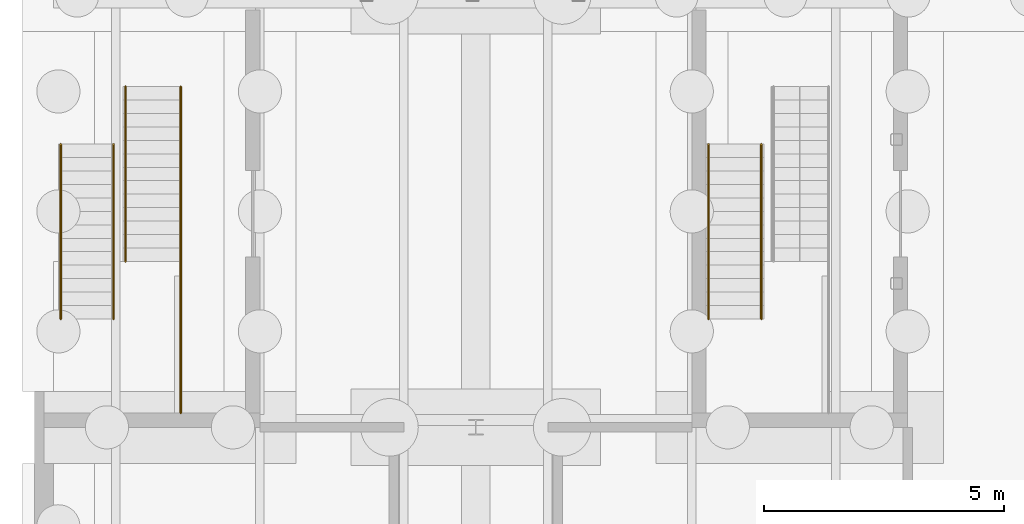
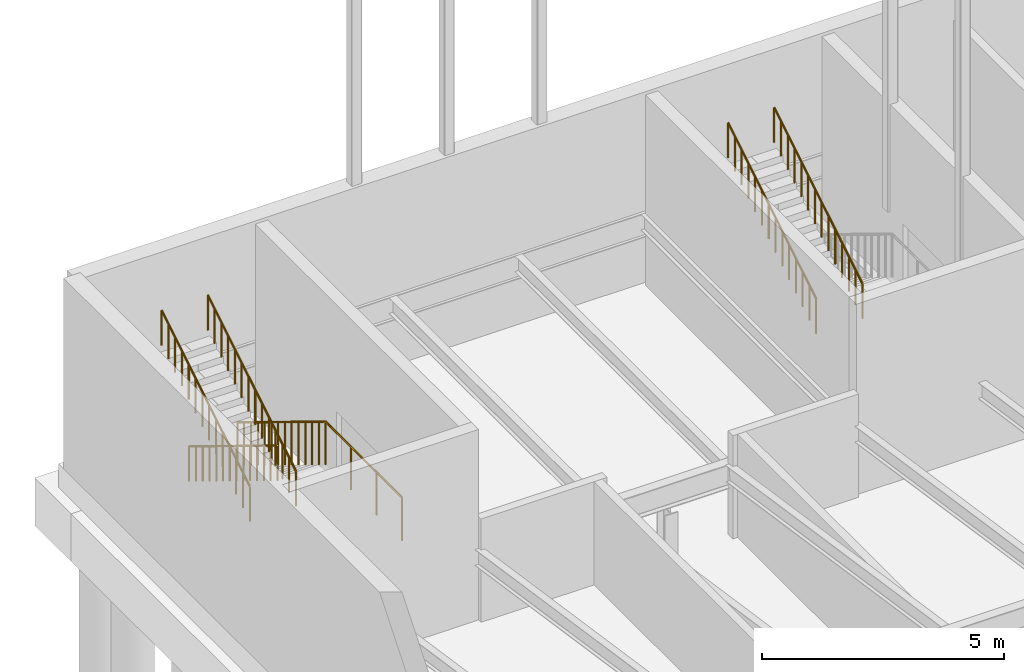
# One storey, part 25 of 31: 7 railings.
"""IFC4 building model written with IfcOpenShell, lengths in metres."""

from ifc_helpers import new_model, si_unit, direction, frame, origin, origin_2d, place, context, subcontext, project, spatial, circle, extrude, material, type_object, element, save


model = new_model("IFC4")

# Units and contexts
model_context = context("Model", 3, precision=1e-05, world=origin(), true_north=direction((0.0, 1.0)))
body_context = subcontext(model_context, "Body", "Model", "MODEL_VIEW")
ifc_project = project(units=[si_unit("LENGTHUNIT", "METRE"), si_unit("AREAUNIT", "SQUARE_METRE"), si_unit("VOLUMEUNIT", "CUBIC_METRE"), si_unit("PLANEANGLEUNIT", "RADIAN"), si_unit("MASSUNIT", "GRAM", prefix="KILO")], contexts=[model_context])

# Site, building, storey
site_placement = place(None, origin())
site = spatial("IfcSite", under=ifc_project, at=site_placement, CompositionType="ELEMENT")
building_placement = place(site_placement, origin())
building = spatial("IfcBuilding", under=site, at=building_placement, Name="Halyard Row Museum", CompositionType="ELEMENT")
storey_placement = place(building_placement, frame((0.0, 0.0, -4.800048828125)))
storey = spatial("IfcBuildingStorey", under=building, at=storey_placement, Name="B1", CompositionType="ELEMENT", Elevation=-4.800048828125)

# Railings
ifc_material_1 = material(Name="Steel Grade 300", Category="steel")
railing_type_1 = type_object("IfcRailingType", Name="Guard GR2 steel balustrade 1100", PredefinedType="GUARDRAIL", material=ifc_material_1)
railing_1_placement = place(storey_placement, frame((2.85009765625, 43.10009765625, 0.17138671875)))
element("IfcRailing", 1, at=railing_1_placement, inside=storey, type_object=railing_type_1, Name="Guard GR090", PredefinedType="GUARDRAIL", context=body_context, shape_type="SweptSolid", body=[
    extrude(circle(Radius=0.02392578125, at=origin_2d()), frame((0.0, 0.0, 1.076171875), z_axis=(0.0, -0.852601252411, 0.522562057929), x_axis=(1.0, 0.0, 0.0)), (0.0, 0.0, 1.0), 0.328369140625),
    extrude(circle(Radius=0.02392578125, at=origin_2d()), frame((0.0, -0.280029296875, 1.24755859375), z_axis=(0.0, -0.852932391421, 0.522021393877), x_axis=(1.0, 0.0, 0.0)), (0.0, 0.0, 1.0), 0.328369140625),
    extrude(circle(Radius=0.02392578125, at=origin_2d()), frame((0.0, -0.56005859375, 1.4189453125), z_axis=(0.0, -0.852932391421, 0.522021393877), x_axis=(1.0, 0.0, 0.0)), (0.0, 0.0, 1.0), 0.328369140625),
    extrude(circle(Radius=0.02392578125, at=origin_2d()), frame((0.0, -0.840087890625, 1.59033203125), z_axis=(0.0, -0.852932391421, 0.522021393877), x_axis=(1.0, 0.0, 0.0)), (0.0, 0.0, 1.0), 0.328369140625),
    extrude(circle(Radius=0.02392578125, at=origin_2d()), frame((0.0, -1.1201171875, 1.76171875), z_axis=(0.0, -0.852932391421, 0.522021393877), x_axis=(1.0, 0.0, 0.0)), (0.0, 0.0, 1.0), 0.328369140625),
    extrude(circle(Radius=0.02392578125, at=origin_2d()), frame((0.0, -1.400146484375, 1.93310546875), z_axis=(0.0, -0.852932391421, 0.522021393877), x_axis=(1.0, 0.0, 0.0)), (0.0, 0.0, 1.0), 0.328369140625),
    extrude(circle(Radius=0.02392578125, at=origin_2d()), frame((0.0, -1.68017578125, 2.1044921875), z_axis=(0.0, -0.852601252411, 0.522562057929), x_axis=(1.0, 0.0, 0.0)), (0.0, 0.0, 1.0), 0.328369140625),
    extrude(circle(Radius=0.02392578125, at=origin_2d()), frame((0.0, -1.960205078125, 2.2763671875), z_axis=(0.0, -0.852729557261, 0.522352660731), x_axis=(1.0, 0.0, 0.0)), (0.0, 0.0, 1.0), 0.328125),
    extrude(circle(Radius=0.02392578125, at=origin_2d()), frame((0.0, -2.239990234375, 2.44775390625), z_axis=(0.0, -0.852932391421, 0.522021393877), x_axis=(1.0, 0.0, 0.0)), (0.0, 0.0, 1.0), 0.328369140625),
    extrude(circle(Radius=0.02392578125, at=origin_2d()), frame((0.0, -2.52001953125, 2.619140625), z_axis=(0.0, -0.852932391421, 0.522021393877), x_axis=(1.0, 0.0, 0.0)), (0.0, 0.0, 1.0), 0.328369140625),
    extrude(circle(Radius=0.02392578125, at=origin_2d()), frame((0.0, -2.800048828125, 2.79052734375), z_axis=(0.0, -0.852932391421, 0.522021393877), x_axis=(1.0, 0.0, 0.0)), (0.0, 0.0, 1.0), 0.328369140625),
    extrude(circle(Radius=0.02392578125, at=origin_2d()), frame((0.0, -3.080078125, 2.9619140625), z_axis=(0.0, -0.852932391421, 0.522021393877), x_axis=(1.0, 0.0, 0.0)), (0.0, 0.0, 1.0), 0.328369140625),
    extrude(circle(Radius=0.02392578125, at=origin_2d()), frame((0.0, -3.360107421875, 3.13330078125), z_axis=(0.0, -0.852601252411, 0.522562057929), x_axis=(1.0, 0.0, 0.0)), (0.0, 0.0, 1.0), 0.328369140625),
    extrude(circle(Radius=0.02099609375, at=origin_2d()), origin(), (0.0, 0.0, 1.0), 1.052001953125),
    extrude(circle(Radius=0.02099609375, at=origin_2d()), frame((0.0, -0.280029296875, 0.171630859375)), (0.0, 0.0, 1.0), 1.052001953125),
    extrude(circle(Radius=0.02099609375, at=origin_2d()), frame((0.0, -0.56005859375, 0.343017578125)), (0.0, 0.0, 1.0), 1.052001953125),
    extrude(circle(Radius=0.02099609375, at=origin_2d()), frame((0.0, -0.840087890625, 0.514404296875)), (0.0, 0.0, 1.0), 1.052001953125),
    extrude(circle(Radius=0.02099609375, at=origin_2d()), frame((0.0, -1.1201171875, 0.685791015625)), (0.0, 0.0, 1.0), 1.052001953125),
    extrude(circle(Radius=0.02099609375, at=origin_2d()), frame((0.0, -1.400146484375, 0.857177734375)), (0.0, 0.0, 1.0), 1.052001953125),
    extrude(circle(Radius=0.02099609375, at=origin_2d()), frame((0.0, -1.68017578125, 1.028564453125)), (0.0, 0.0, 1.0), 1.052001953125),
    extrude(circle(Radius=0.02099609375, at=origin_2d()), frame((0.0, -1.960205078125, 1.2001953125)), (0.0, 0.0, 1.0), 1.052001953125),
    extrude(circle(Radius=0.02099609375, at=origin_2d()), frame((0.0, -2.239990234375, 1.37158203125)), (0.0, 0.0, 1.0), 1.052001953125),
    extrude(circle(Radius=0.02099609375, at=origin_2d()), frame((0.0, -2.52001953125, 1.54296875)), (0.0, 0.0, 1.0), 1.052001953125),
    extrude(circle(Radius=0.02099609375, at=origin_2d()), frame((0.0, -2.800048828125, 1.71435546875)), (0.0, 0.0, 1.0), 1.052001953125),
    extrude(circle(Radius=0.02099609375, at=origin_2d()), frame((0.0, -3.080078125, 1.8857421875)), (0.0, 0.0, 1.0), 1.052001953125),
    extrude(circle(Radius=0.02099609375, at=origin_2d()), frame((0.0, -3.360107421875, 2.05712890625)), (0.0, 0.0, 1.0), 1.052001953125),
    extrude(circle(Radius=0.02099609375, at=origin_2d()), frame((0.0, -3.64013671875, 2.228759765625)), (0.0, 0.0, 1.0), 1.052001953125),
])
railing_2_placement = place(storey_placement, frame((2.85009765625, 39.4599609375, 2.400146484375)))
element("IfcRailing", 2, at=railing_2_placement, inside=storey, type_object=railing_type_1, Name="Guard GR091", PredefinedType="GUARDRAIL", context=body_context, shape_type="SweptSolid", body=[
    extrude(circle(Radius=0.02392578125, at=origin_2d()), frame((0.0, 0.0, 1.076171875), z_axis=(0.0, -1.0, 0.0), x_axis=(1.0, 0.0, 0.0)), (0.0, 0.0, 1.0), 3.159912109375),
    extrude(circle(Radius=0.02099609375, at=origin_2d()), origin(), (0.0, 0.0, 1.0), 1.052001953125),
    extrude(circle(Radius=0.02099609375, at=origin_2d()), frame((0.0, -1.05322265625, 0.0)), (0.0, 0.0, 1.0), 1.052001953125),
    extrude(circle(Radius=0.02099609375, at=origin_2d()), frame((0.0, -2.106689453125, 0.0)), (0.0, 0.0, 1.0), 1.052001953125),
    extrude(circle(Radius=0.02099609375, at=origin_2d()), frame((0.0, -3.159912109375, 0.0)), (0.0, 0.0, 1.0), 1.052001953125),
])
ifc_material_2 = material(Name="Steel Grade 300", Category="steel")
railing_type_2 = type_object("IfcRailingType", Name="Handrail HR2 steel 900", PredefinedType="HANDRAIL", material=ifc_material_2)
railing_3_placement = place(storey_placement, frame((13.85009765625, 38.260009765625, 2.571533203125)))
element("IfcRailing", 3, at=railing_3_placement, inside=storey, type_object=railing_type_2, Name="Handrail HR119", PredefinedType="HANDRAIL", context=body_context, shape_type="SweptSolid", body=[
    extrude(circle(Radius=0.02392578125, at=origin_2d()), frame((0.0, 0.0, 0.8759765625), z_axis=(0.0, 0.852932391421, 0.522021393877), x_axis=(-1.0, 0.0, 0.0)), (0.0, 0.0, 1.0), 0.328369140625),
    extrude(circle(Radius=0.02392578125, at=origin_2d()), frame((0.0, 0.280029296875, 1.04736328125), z_axis=(0.0, 0.852932391421, 0.522021393877), x_axis=(-1.0, 0.0, 0.0)), (0.0, 0.0, 1.0), 0.328369140625),
    extrude(circle(Radius=0.02392578125, at=origin_2d()), frame((0.0, 0.56005859375, 1.21875), z_axis=(0.0, 0.852932391421, 0.522021393877), x_axis=(-1.0, 0.0, 0.0)), (0.0, 0.0, 1.0), 0.328369140625),
    extrude(circle(Radius=0.02392578125, at=origin_2d()), frame((0.0, 0.840087890625, 1.39013671875), z_axis=(0.0, 0.852729557261, 0.522352660731), x_axis=(-1.0, 0.0, 0.0)), (0.0, 0.0, 1.0), 0.328125),
    extrude(circle(Radius=0.02392578125, at=origin_2d()), frame((0.0, 1.119873046875, 1.5615234375), z_axis=(0.0, 0.852601252411, 0.522562057929), x_axis=(-1.0, 0.0, 0.0)), (0.0, 0.0, 1.0), 0.328369140625),
    extrude(circle(Radius=0.02392578125, at=origin_2d()), frame((0.0, 1.39990234375, 1.73291015625), z_axis=(0.0, 0.852932391421, 0.522021393877), x_axis=(-1.0, 0.0, 0.0)), (0.0, 0.0, 1.0), 0.328369140625),
    extrude(circle(Radius=0.02392578125, at=origin_2d()), frame((0.0, 1.679931640625, 1.904296875), z_axis=(0.0, 0.852932391421, 0.522021393877), x_axis=(-1.0, 0.0, 0.0)), (0.0, 0.0, 1.0), 0.328369140625),
    extrude(circle(Radius=0.02392578125, at=origin_2d()), frame((0.0, 1.9599609375, 2.07568359375), z_axis=(0.0, 0.852932391421, 0.522021393877), x_axis=(-1.0, 0.0, 0.0)), (0.0, 0.0, 1.0), 0.328369140625),
    extrude(circle(Radius=0.02392578125, at=origin_2d()), frame((0.0, 2.239990234375, 2.2470703125), z_axis=(0.0, 0.852932391421, 0.522021393877), x_axis=(-1.0, 0.0, 0.0)), (0.0, 0.0, 1.0), 0.328369140625),
    extrude(circle(Radius=0.02392578125, at=origin_2d()), frame((0.0, 2.52001953125, 2.41845703125), z_axis=(0.0, 0.852932391421, 0.522021393877), x_axis=(-1.0, 0.0, 0.0)), (0.0, 0.0, 1.0), 0.328369140625),
    extrude(circle(Radius=0.02392578125, at=origin_2d()), frame((0.0, 2.800048828125, 2.58984375), z_axis=(0.0, 0.852601252411, 0.522562057929), x_axis=(-1.0, 0.0, 0.0)), (0.0, 0.0, 1.0), 0.328369140625),
    extrude(circle(Radius=0.02392578125, at=origin_2d()), frame((0.0, 3.080078125, 2.76171875), z_axis=(0.0, 0.852932391421, 0.522021393877), x_axis=(-1.0, 0.0, 0.0)), (0.0, 0.0, 1.0), 0.328369140625),
    extrude(circle(Radius=0.02392578125, at=origin_2d()), frame((0.0, 3.360107421875, 2.93310546875), z_axis=(0.0, 0.852729557261, 0.522352660731), x_axis=(-1.0, 0.0, 0.0)), (0.0, 0.0, 1.0), 0.328125),
    extrude(circle(Radius=0.02099609375, at=origin_2d()), origin(), (0.0, 0.0, 1.0), 0.851806640625),
    extrude(circle(Radius=0.02099609375, at=origin_2d()), frame((0.0, 0.280029296875, 0.17138671875)), (0.0, 0.0, 1.0), 0.851806640625),
    extrude(circle(Radius=0.02099609375, at=origin_2d()), frame((0.0, 0.56005859375, 0.3427734375)), (0.0, 0.0, 1.0), 0.851806640625),
    extrude(circle(Radius=0.02099609375, at=origin_2d()), frame((0.0, 0.840087890625, 0.51416015625)), (0.0, 0.0, 1.0), 0.851806640625),
    extrude(circle(Radius=0.02099609375, at=origin_2d()), frame((0.0, 1.119873046875, 0.685546875)), (0.0, 0.0, 1.0), 0.851806640625),
    extrude(circle(Radius=0.02099609375, at=origin_2d()), frame((0.0, 1.39990234375, 0.857177734375)), (0.0, 0.0, 1.0), 0.851806640625),
    extrude(circle(Radius=0.02099609375, at=origin_2d()), frame((0.0, 1.679931640625, 1.028564453125)), (0.0, 0.0, 1.0), 0.851806640625),
    extrude(circle(Radius=0.02099609375, at=origin_2d()), frame((0.0, 1.9599609375, 1.199951171875)), (0.0, 0.0, 1.0), 0.851806640625),
    extrude(circle(Radius=0.02099609375, at=origin_2d()), frame((0.0, 2.239990234375, 1.371337890625)), (0.0, 0.0, 1.0), 0.851806640625),
    extrude(circle(Radius=0.02099609375, at=origin_2d()), frame((0.0, 2.52001953125, 1.542724609375)), (0.0, 0.0, 1.0), 0.851806640625),
    extrude(circle(Radius=0.02099609375, at=origin_2d()), frame((0.0, 2.800048828125, 1.714111328125)), (0.0, 0.0, 1.0), 0.851806640625),
    extrude(circle(Radius=0.02099609375, at=origin_2d()), frame((0.0, 3.080078125, 1.8857421875)), (0.0, 0.0, 1.0), 0.851806640625),
    extrude(circle(Radius=0.02099609375, at=origin_2d()), frame((0.0, 3.360107421875, 2.05712890625)), (0.0, 0.0, 1.0), 0.851806640625),
    extrude(circle(Radius=0.02099609375, at=origin_2d()), frame((0.0, 3.639892578125, 2.228515625)), (0.0, 0.0, 1.0), 0.851806640625),
])
railing_4_placement = place(storey_placement, frame((14.949951171875, 38.260009765625, 2.571533203125)))
element("IfcRailing", 4, at=railing_4_placement, inside=storey, type_object=railing_type_2, Name="Handrail HR120", PredefinedType="HANDRAIL", context=body_context, shape_type="SweptSolid", body=[
    extrude(circle(Radius=0.02392578125, at=origin_2d()), frame((0.0, 0.0, 0.8759765625), z_axis=(0.0, 0.852932391421, 0.522021393877), x_axis=(-1.0, 0.0, 0.0)), (0.0, 0.0, 1.0), 0.328369140625),
    extrude(circle(Radius=0.02392578125, at=origin_2d()), frame((0.0, 0.280029296875, 1.04736328125), z_axis=(0.0, 0.852932391421, 0.522021393877), x_axis=(-1.0, 0.0, 0.0)), (0.0, 0.0, 1.0), 0.328369140625),
    extrude(circle(Radius=0.02392578125, at=origin_2d()), frame((0.0, 0.56005859375, 1.21875), z_axis=(0.0, 0.852932391421, 0.522021393877), x_axis=(-1.0, 0.0, 0.0)), (0.0, 0.0, 1.0), 0.328369140625),
    extrude(circle(Radius=0.02392578125, at=origin_2d()), frame((0.0, 0.840087890625, 1.39013671875), z_axis=(0.0, 0.852729557261, 0.522352660731), x_axis=(-1.0, 0.0, 0.0)), (0.0, 0.0, 1.0), 0.328125),
    extrude(circle(Radius=0.02392578125, at=origin_2d()), frame((0.0, 1.119873046875, 1.5615234375), z_axis=(0.0, 0.852601252411, 0.522562057929), x_axis=(-1.0, 0.0, 0.0)), (0.0, 0.0, 1.0), 0.328369140625),
    extrude(circle(Radius=0.02392578125, at=origin_2d()), frame((0.0, 1.39990234375, 1.73291015625), z_axis=(0.0, 0.852932391421, 0.522021393877), x_axis=(-1.0, 0.0, 0.0)), (0.0, 0.0, 1.0), 0.328369140625),
    extrude(circle(Radius=0.02392578125, at=origin_2d()), frame((0.0, 1.679931640625, 1.904296875), z_axis=(0.0, 0.852932391421, 0.522021393877), x_axis=(-1.0, 0.0, 0.0)), (0.0, 0.0, 1.0), 0.328369140625),
    extrude(circle(Radius=0.02392578125, at=origin_2d()), frame((0.0, 1.9599609375, 2.07568359375), z_axis=(0.0, 0.852932391421, 0.522021393877), x_axis=(-1.0, 0.0, 0.0)), (0.0, 0.0, 1.0), 0.328369140625),
    extrude(circle(Radius=0.02392578125, at=origin_2d()), frame((0.0, 2.239990234375, 2.2470703125), z_axis=(0.0, 0.852932391421, 0.522021393877), x_axis=(-1.0, 0.0, 0.0)), (0.0, 0.0, 1.0), 0.328369140625),
    extrude(circle(Radius=0.02392578125, at=origin_2d()), frame((0.0, 2.52001953125, 2.41845703125), z_axis=(0.0, 0.852932391421, 0.522021393877), x_axis=(-1.0, 0.0, 0.0)), (0.0, 0.0, 1.0), 0.328369140625),
    extrude(circle(Radius=0.02392578125, at=origin_2d()), frame((0.0, 2.800048828125, 2.58984375), z_axis=(0.0, 0.852601252411, 0.522562057929), x_axis=(-1.0, 0.0, 0.0)), (0.0, 0.0, 1.0), 0.328369140625),
    extrude(circle(Radius=0.02392578125, at=origin_2d()), frame((0.0, 3.080078125, 2.76171875), z_axis=(0.0, 0.852932391421, 0.522021393877), x_axis=(-1.0, 0.0, 0.0)), (0.0, 0.0, 1.0), 0.328369140625),
    extrude(circle(Radius=0.02392578125, at=origin_2d()), frame((0.0, 3.360107421875, 2.93310546875), z_axis=(0.0, 0.852729557261, 0.522352660731), x_axis=(-1.0, 0.0, 0.0)), (0.0, 0.0, 1.0), 0.328125),
    extrude(circle(Radius=0.02099609375, at=origin_2d()), origin(), (0.0, 0.0, 1.0), 0.851806640625),
    extrude(circle(Radius=0.02099609375, at=origin_2d()), frame((0.0, 0.280029296875, 0.17138671875)), (0.0, 0.0, 1.0), 0.851806640625),
    extrude(circle(Radius=0.02099609375, at=origin_2d()), frame((0.0, 0.56005859375, 0.3427734375)), (0.0, 0.0, 1.0), 0.851806640625),
    extrude(circle(Radius=0.02099609375, at=origin_2d()), frame((0.0, 0.840087890625, 0.51416015625)), (0.0, 0.0, 1.0), 0.851806640625),
    extrude(circle(Radius=0.02099609375, at=origin_2d()), frame((0.0, 1.119873046875, 0.685546875)), (0.0, 0.0, 1.0), 0.851806640625),
    extrude(circle(Radius=0.02099609375, at=origin_2d()), frame((0.0, 1.39990234375, 0.857177734375)), (0.0, 0.0, 1.0), 0.851806640625),
    extrude(circle(Radius=0.02099609375, at=origin_2d()), frame((0.0, 1.679931640625, 1.028564453125)), (0.0, 0.0, 1.0), 0.851806640625),
    extrude(circle(Radius=0.02099609375, at=origin_2d()), frame((0.0, 1.9599609375, 1.199951171875)), (0.0, 0.0, 1.0), 0.851806640625),
    extrude(circle(Radius=0.02099609375, at=origin_2d()), frame((0.0, 2.239990234375, 1.371337890625)), (0.0, 0.0, 1.0), 0.851806640625),
    extrude(circle(Radius=0.02099609375, at=origin_2d()), frame((0.0, 2.52001953125, 1.542724609375)), (0.0, 0.0, 1.0), 0.851806640625),
    extrude(circle(Radius=0.02099609375, at=origin_2d()), frame((0.0, 2.800048828125, 1.714111328125)), (0.0, 0.0, 1.0), 0.851806640625),
    extrude(circle(Radius=0.02099609375, at=origin_2d()), frame((0.0, 3.080078125, 1.8857421875)), (0.0, 0.0, 1.0), 0.851806640625),
    extrude(circle(Radius=0.02099609375, at=origin_2d()), frame((0.0, 3.360107421875, 2.05712890625)), (0.0, 0.0, 1.0), 0.851806640625),
    extrude(circle(Radius=0.02099609375, at=origin_2d()), frame((0.0, 3.639892578125, 2.228515625)), (0.0, 0.0, 1.0), 0.851806640625),
])
railing_5_placement = place(storey_placement, frame((1.699951171875, 43.10009765625, 0.17138671875)))
element("IfcRailing", 5, at=railing_5_placement, inside=storey, type_object=railing_type_2, Name="Handrail HR130", PredefinedType="HANDRAIL", context=body_context, shape_type="SweptSolid", body=[
    extrude(circle(Radius=0.02392578125, at=origin_2d()), frame((0.0, 0.0, 0.8759765625), z_axis=(0.0, -0.852601252411, 0.522562057929), x_axis=(1.0, 0.0, 0.0)), (0.0, 0.0, 1.0), 0.328369140625),
    extrude(circle(Radius=0.02392578125, at=origin_2d()), frame((0.0, -0.280029296875, 1.04736328125), z_axis=(0.0, -0.852932391421, 0.522021393877), x_axis=(1.0, 0.0, 0.0)), (0.0, 0.0, 1.0), 0.328369140625),
    extrude(circle(Radius=0.02392578125, at=origin_2d()), frame((0.0, -0.56005859375, 1.21875), z_axis=(0.0, -0.852932391421, 0.522021393877), x_axis=(1.0, 0.0, 0.0)), (0.0, 0.0, 1.0), 0.328369140625),
    extrude(circle(Radius=0.02392578125, at=origin_2d()), frame((0.0, -0.840087890625, 1.39013671875), z_axis=(0.0, -0.852932391421, 0.522021393877), x_axis=(1.0, 0.0, 0.0)), (0.0, 0.0, 1.0), 0.328369140625),
    extrude(circle(Radius=0.02392578125, at=origin_2d()), frame((0.0, -1.1201171875, 1.5615234375), z_axis=(0.0, -0.852932391421, 0.522021393877), x_axis=(1.0, 0.0, 0.0)), (0.0, 0.0, 1.0), 0.328369140625),
    extrude(circle(Radius=0.02392578125, at=origin_2d()), frame((0.0, -1.400146484375, 1.73291015625), z_axis=(0.0, -0.852932391421, 0.522021393877), x_axis=(1.0, 0.0, 0.0)), (0.0, 0.0, 1.0), 0.328369140625),
    extrude(circle(Radius=0.02392578125, at=origin_2d()), frame((0.0, -1.68017578125, 1.904296875), z_axis=(0.0, -0.852601252411, 0.522562057929), x_axis=(1.0, 0.0, 0.0)), (0.0, 0.0, 1.0), 0.328369140625),
    extrude(circle(Radius=0.02392578125, at=origin_2d()), frame((0.0, -1.960205078125, 2.076171875), z_axis=(0.0, -0.852729557261, 0.522352660731), x_axis=(1.0, 0.0, 0.0)), (0.0, 0.0, 1.0), 0.328125),
    extrude(circle(Radius=0.02392578125, at=origin_2d()), frame((0.0, -2.239990234375, 2.24755859375), z_axis=(0.0, -0.852932391421, 0.522021393877), x_axis=(1.0, 0.0, 0.0)), (0.0, 0.0, 1.0), 0.328369140625),
    extrude(circle(Radius=0.02392578125, at=origin_2d()), frame((0.0, -2.52001953125, 2.4189453125), z_axis=(0.0, -0.852932391421, 0.522021393877), x_axis=(1.0, 0.0, 0.0)), (0.0, 0.0, 1.0), 0.328369140625),
    extrude(circle(Radius=0.02392578125, at=origin_2d()), frame((0.0, -2.800048828125, 2.59033203125), z_axis=(0.0, -0.852932391421, 0.522021393877), x_axis=(1.0, 0.0, 0.0)), (0.0, 0.0, 1.0), 0.328369140625),
    extrude(circle(Radius=0.02392578125, at=origin_2d()), frame((0.0, -3.080078125, 2.76171875), z_axis=(0.0, -0.852932391421, 0.522021393877), x_axis=(1.0, 0.0, 0.0)), (0.0, 0.0, 1.0), 0.328369140625),
    extrude(circle(Radius=0.02392578125, at=origin_2d()), frame((0.0, -3.360107421875, 2.93310546875), z_axis=(0.0, -0.852601252411, 0.522562057929), x_axis=(1.0, 0.0, 0.0)), (0.0, 0.0, 1.0), 0.328369140625),
    extrude(circle(Radius=0.02099609375, at=origin_2d()), origin(), (0.0, 0.0, 1.0), 0.851806640625),
    extrude(circle(Radius=0.02099609375, at=origin_2d()), frame((0.0, -0.280029296875, 0.171630859375)), (0.0, 0.0, 1.0), 0.851806640625),
    extrude(circle(Radius=0.02099609375, at=origin_2d()), frame((0.0, -0.56005859375, 0.343017578125)), (0.0, 0.0, 1.0), 0.851806640625),
    extrude(circle(Radius=0.02099609375, at=origin_2d()), frame((0.0, -0.840087890625, 0.514404296875)), (0.0, 0.0, 1.0), 0.851806640625),
    extrude(circle(Radius=0.02099609375, at=origin_2d()), frame((0.0, -1.1201171875, 0.685791015625)), (0.0, 0.0, 1.0), 0.851806640625),
    extrude(circle(Radius=0.02099609375, at=origin_2d()), frame((0.0, -1.400146484375, 0.857177734375)), (0.0, 0.0, 1.0), 0.851806640625),
    extrude(circle(Radius=0.02099609375, at=origin_2d()), frame((0.0, -1.68017578125, 1.028564453125)), (0.0, 0.0, 1.0), 0.851806640625),
    extrude(circle(Radius=0.02099609375, at=origin_2d()), frame((0.0, -1.960205078125, 1.2001953125)), (0.0, 0.0, 1.0), 0.851806640625),
    extrude(circle(Radius=0.02099609375, at=origin_2d()), frame((0.0, -2.239990234375, 1.37158203125)), (0.0, 0.0, 1.0), 0.851806640625),
    extrude(circle(Radius=0.02099609375, at=origin_2d()), frame((0.0, -2.52001953125, 1.54296875)), (0.0, 0.0, 1.0), 0.851806640625),
    extrude(circle(Radius=0.02099609375, at=origin_2d()), frame((0.0, -2.800048828125, 1.71435546875)), (0.0, 0.0, 1.0), 0.851806640625),
    extrude(circle(Radius=0.02099609375, at=origin_2d()), frame((0.0, -3.080078125, 1.8857421875)), (0.0, 0.0, 1.0), 0.851806640625),
    extrude(circle(Radius=0.02099609375, at=origin_2d()), frame((0.0, -3.360107421875, 2.05712890625)), (0.0, 0.0, 1.0), 0.851806640625),
    extrude(circle(Radius=0.02099609375, at=origin_2d()), frame((0.0, -3.64013671875, 2.228759765625)), (0.0, 0.0, 1.0), 0.851806640625),
])
railing_6_placement = place(storey_placement, frame((0.35009765625, 38.260009765625, 2.571533203125)))
element("IfcRailing", 6, at=railing_6_placement, inside=storey, type_object=railing_type_2, Name="Handrail HR131", PredefinedType="HANDRAIL", context=body_context, shape_type="SweptSolid", body=[
    extrude(circle(Radius=0.02392578125, at=origin_2d()), frame((0.0, 0.0, 0.8759765625), z_axis=(0.0, 0.852932391421, 0.522021393877), x_axis=(-1.0, 0.0, 0.0)), (0.0, 0.0, 1.0), 0.328369140625),
    extrude(circle(Radius=0.02392578125, at=origin_2d()), frame((0.0, 0.280029296875, 1.04736328125), z_axis=(0.0, 0.852932391421, 0.522021393877), x_axis=(-1.0, 0.0, 0.0)), (0.0, 0.0, 1.0), 0.328369140625),
    extrude(circle(Radius=0.02392578125, at=origin_2d()), frame((0.0, 0.56005859375, 1.21875), z_axis=(0.0, 0.852932391421, 0.522021393877), x_axis=(-1.0, 0.0, 0.0)), (0.0, 0.0, 1.0), 0.328369140625),
    extrude(circle(Radius=0.02392578125, at=origin_2d()), frame((0.0, 0.840087890625, 1.39013671875), z_axis=(0.0, 0.852729557261, 0.522352660731), x_axis=(-1.0, 0.0, 0.0)), (0.0, 0.0, 1.0), 0.328125),
    extrude(circle(Radius=0.02392578125, at=origin_2d()), frame((0.0, 1.119873046875, 1.5615234375), z_axis=(0.0, 0.852601252411, 0.522562057929), x_axis=(-1.0, 0.0, 0.0)), (0.0, 0.0, 1.0), 0.328369140625),
    extrude(circle(Radius=0.02392578125, at=origin_2d()), frame((0.0, 1.39990234375, 1.73291015625), z_axis=(0.0, 0.852932391421, 0.522021393877), x_axis=(-1.0, 0.0, 0.0)), (0.0, 0.0, 1.0), 0.328369140625),
    extrude(circle(Radius=0.02392578125, at=origin_2d()), frame((0.0, 1.679931640625, 1.904296875), z_axis=(0.0, 0.852932391421, 0.522021393877), x_axis=(-1.0, 0.0, 0.0)), (0.0, 0.0, 1.0), 0.328369140625),
    extrude(circle(Radius=0.02392578125, at=origin_2d()), frame((0.0, 1.9599609375, 2.07568359375), z_axis=(0.0, 0.852932391421, 0.522021393877), x_axis=(-1.0, 0.0, 0.0)), (0.0, 0.0, 1.0), 0.328369140625),
    extrude(circle(Radius=0.02392578125, at=origin_2d()), frame((0.0, 2.239990234375, 2.2470703125), z_axis=(0.0, 0.852932391421, 0.522021393877), x_axis=(-1.0, 0.0, 0.0)), (0.0, 0.0, 1.0), 0.328369140625),
    extrude(circle(Radius=0.02392578125, at=origin_2d()), frame((0.0, 2.52001953125, 2.41845703125), z_axis=(0.0, 0.852932391421, 0.522021393877), x_axis=(-1.0, 0.0, 0.0)), (0.0, 0.0, 1.0), 0.328369140625),
    extrude(circle(Radius=0.02392578125, at=origin_2d()), frame((0.0, 2.800048828125, 2.58984375), z_axis=(0.0, 0.852601252411, 0.522562057929), x_axis=(-1.0, 0.0, 0.0)), (0.0, 0.0, 1.0), 0.328369140625),
    extrude(circle(Radius=0.02392578125, at=origin_2d()), frame((0.0, 3.080078125, 2.76171875), z_axis=(0.0, 0.852932391421, 0.522021393877), x_axis=(-1.0, 0.0, 0.0)), (0.0, 0.0, 1.0), 0.328369140625),
    extrude(circle(Radius=0.02392578125, at=origin_2d()), frame((0.0, 3.360107421875, 2.93310546875), z_axis=(0.0, 0.852729557261, 0.522352660731), x_axis=(-1.0, 0.0, 0.0)), (0.0, 0.0, 1.0), 0.328125),
    extrude(circle(Radius=0.02099609375, at=origin_2d()), origin(), (0.0, 0.0, 1.0), 0.851806640625),
    extrude(circle(Radius=0.02099609375, at=origin_2d()), frame((0.0, 0.280029296875, 0.17138671875)), (0.0, 0.0, 1.0), 0.851806640625),
    extrude(circle(Radius=0.02099609375, at=origin_2d()), frame((0.0, 0.56005859375, 0.3427734375)), (0.0, 0.0, 1.0), 0.851806640625),
    extrude(circle(Radius=0.02099609375, at=origin_2d()), frame((0.0, 0.840087890625, 0.51416015625)), (0.0, 0.0, 1.0), 0.851806640625),
    extrude(circle(Radius=0.02099609375, at=origin_2d()), frame((0.0, 1.119873046875, 0.685546875)), (0.0, 0.0, 1.0), 0.851806640625),
    extrude(circle(Radius=0.02099609375, at=origin_2d()), frame((0.0, 1.39990234375, 0.857177734375)), (0.0, 0.0, 1.0), 0.851806640625),
    extrude(circle(Radius=0.02099609375, at=origin_2d()), frame((0.0, 1.679931640625, 1.028564453125)), (0.0, 0.0, 1.0), 0.851806640625),
    extrude(circle(Radius=0.02099609375, at=origin_2d()), frame((0.0, 1.9599609375, 1.199951171875)), (0.0, 0.0, 1.0), 0.851806640625),
    extrude(circle(Radius=0.02099609375, at=origin_2d()), frame((0.0, 2.239990234375, 1.371337890625)), (0.0, 0.0, 1.0), 0.851806640625),
    extrude(circle(Radius=0.02099609375, at=origin_2d()), frame((0.0, 2.52001953125, 1.542724609375)), (0.0, 0.0, 1.0), 0.851806640625),
    extrude(circle(Radius=0.02099609375, at=origin_2d()), frame((0.0, 2.800048828125, 1.714111328125)), (0.0, 0.0, 1.0), 0.851806640625),
    extrude(circle(Radius=0.02099609375, at=origin_2d()), frame((0.0, 3.080078125, 1.8857421875)), (0.0, 0.0, 1.0), 0.851806640625),
    extrude(circle(Radius=0.02099609375, at=origin_2d()), frame((0.0, 3.360107421875, 2.05712890625)), (0.0, 0.0, 1.0), 0.851806640625),
    extrude(circle(Radius=0.02099609375, at=origin_2d()), frame((0.0, 3.639892578125, 2.228515625)), (0.0, 0.0, 1.0), 0.851806640625),
])
railing_7_placement = place(storey_placement, frame((1.449951171875, 38.260009765625, 2.571533203125)))
element("IfcRailing", 7, at=railing_7_placement, inside=storey, type_object=railing_type_2, Name="Handrail HR132", PredefinedType="HANDRAIL", context=body_context, shape_type="SweptSolid", body=[
    extrude(circle(Radius=0.02392578125, at=origin_2d()), frame((0.0, 0.0, 0.8759765625), z_axis=(0.0, 0.852932391421, 0.522021393877), x_axis=(-1.0, 0.0, 0.0)), (0.0, 0.0, 1.0), 0.328369140625),
    extrude(circle(Radius=0.02392578125, at=origin_2d()), frame((0.0, 0.280029296875, 1.04736328125), z_axis=(0.0, 0.852932391421, 0.522021393877), x_axis=(-1.0, 0.0, 0.0)), (0.0, 0.0, 1.0), 0.328369140625),
    extrude(circle(Radius=0.02392578125, at=origin_2d()), frame((0.0, 0.56005859375, 1.21875), z_axis=(0.0, 0.852932391421, 0.522021393877), x_axis=(-1.0, 0.0, 0.0)), (0.0, 0.0, 1.0), 0.328369140625),
    extrude(circle(Radius=0.02392578125, at=origin_2d()), frame((0.0, 0.840087890625, 1.39013671875), z_axis=(0.0, 0.852729557261, 0.522352660731), x_axis=(-1.0, 0.0, 0.0)), (0.0, 0.0, 1.0), 0.328125),
    extrude(circle(Radius=0.02392578125, at=origin_2d()), frame((0.0, 1.119873046875, 1.5615234375), z_axis=(0.0, 0.852601252411, 0.522562057929), x_axis=(-1.0, 0.0, 0.0)), (0.0, 0.0, 1.0), 0.328369140625),
    extrude(circle(Radius=0.02392578125, at=origin_2d()), frame((0.0, 1.39990234375, 1.73291015625), z_axis=(0.0, 0.852932391421, 0.522021393877), x_axis=(-1.0, 0.0, 0.0)), (0.0, 0.0, 1.0), 0.328369140625),
    extrude(circle(Radius=0.02392578125, at=origin_2d()), frame((0.0, 1.679931640625, 1.904296875), z_axis=(0.0, 0.852932391421, 0.522021393877), x_axis=(-1.0, 0.0, 0.0)), (0.0, 0.0, 1.0), 0.328369140625),
    extrude(circle(Radius=0.02392578125, at=origin_2d()), frame((0.0, 1.9599609375, 2.07568359375), z_axis=(0.0, 0.852932391421, 0.522021393877), x_axis=(-1.0, 0.0, 0.0)), (0.0, 0.0, 1.0), 0.328369140625),
    extrude(circle(Radius=0.02392578125, at=origin_2d()), frame((0.0, 2.239990234375, 2.2470703125), z_axis=(0.0, 0.852932391421, 0.522021393877), x_axis=(-1.0, 0.0, 0.0)), (0.0, 0.0, 1.0), 0.328369140625),
    extrude(circle(Radius=0.02392578125, at=origin_2d()), frame((0.0, 2.52001953125, 2.41845703125), z_axis=(0.0, 0.852932391421, 0.522021393877), x_axis=(-1.0, 0.0, 0.0)), (0.0, 0.0, 1.0), 0.328369140625),
    extrude(circle(Radius=0.02392578125, at=origin_2d()), frame((0.0, 2.800048828125, 2.58984375), z_axis=(0.0, 0.852601252411, 0.522562057929), x_axis=(-1.0, 0.0, 0.0)), (0.0, 0.0, 1.0), 0.328369140625),
    extrude(circle(Radius=0.02392578125, at=origin_2d()), frame((0.0, 3.080078125, 2.76171875), z_axis=(0.0, 0.852932391421, 0.522021393877), x_axis=(-1.0, 0.0, 0.0)), (0.0, 0.0, 1.0), 0.328369140625),
    extrude(circle(Radius=0.02392578125, at=origin_2d()), frame((0.0, 3.360107421875, 2.93310546875), z_axis=(0.0, 0.852729557261, 0.522352660731), x_axis=(-1.0, 0.0, 0.0)), (0.0, 0.0, 1.0), 0.328125),
    extrude(circle(Radius=0.02099609375, at=origin_2d()), origin(), (0.0, 0.0, 1.0), 0.851806640625),
    extrude(circle(Radius=0.02099609375, at=origin_2d()), frame((0.0, 0.280029296875, 0.17138671875)), (0.0, 0.0, 1.0), 0.851806640625),
    extrude(circle(Radius=0.02099609375, at=origin_2d()), frame((0.0, 0.56005859375, 0.3427734375)), (0.0, 0.0, 1.0), 0.851806640625),
    extrude(circle(Radius=0.02099609375, at=origin_2d()), frame((0.0, 0.840087890625, 0.51416015625)), (0.0, 0.0, 1.0), 0.851806640625),
    extrude(circle(Radius=0.02099609375, at=origin_2d()), frame((0.0, 1.119873046875, 0.685546875)), (0.0, 0.0, 1.0), 0.851806640625),
    extrude(circle(Radius=0.02099609375, at=origin_2d()), frame((0.0, 1.39990234375, 0.857177734375)), (0.0, 0.0, 1.0), 0.851806640625),
    extrude(circle(Radius=0.02099609375, at=origin_2d()), frame((0.0, 1.679931640625, 1.028564453125)), (0.0, 0.0, 1.0), 0.851806640625),
    extrude(circle(Radius=0.02099609375, at=origin_2d()), frame((0.0, 1.9599609375, 1.199951171875)), (0.0, 0.0, 1.0), 0.851806640625),
    extrude(circle(Radius=0.02099609375, at=origin_2d()), frame((0.0, 2.239990234375, 1.371337890625)), (0.0, 0.0, 1.0), 0.851806640625),
    extrude(circle(Radius=0.02099609375, at=origin_2d()), frame((0.0, 2.52001953125, 1.542724609375)), (0.0, 0.0, 1.0), 0.851806640625),
    extrude(circle(Radius=0.02099609375, at=origin_2d()), frame((0.0, 2.800048828125, 1.714111328125)), (0.0, 0.0, 1.0), 0.851806640625),
    extrude(circle(Radius=0.02099609375, at=origin_2d()), frame((0.0, 3.080078125, 1.8857421875)), (0.0, 0.0, 1.0), 0.851806640625),
    extrude(circle(Radius=0.02099609375, at=origin_2d()), frame((0.0, 3.360107421875, 2.05712890625)), (0.0, 0.0, 1.0), 0.851806640625),
    extrude(circle(Radius=0.02099609375, at=origin_2d()), frame((0.0, 3.639892578125, 2.228515625)), (0.0, 0.0, 1.0), 0.851806640625),
])

save(model, "model.ifc")
